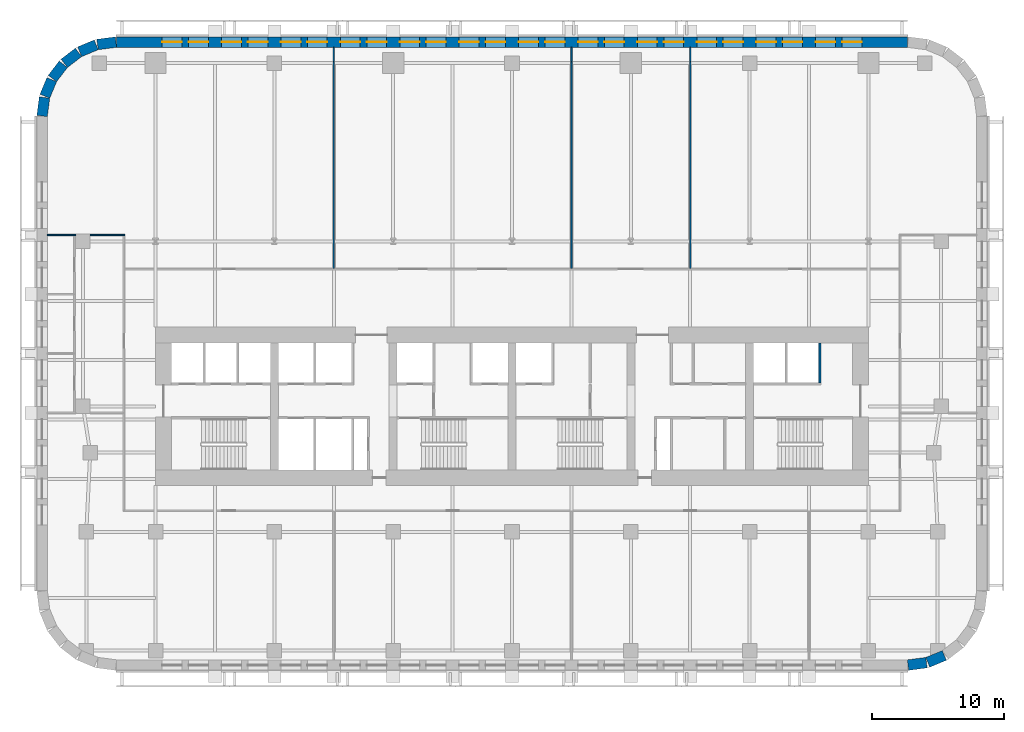
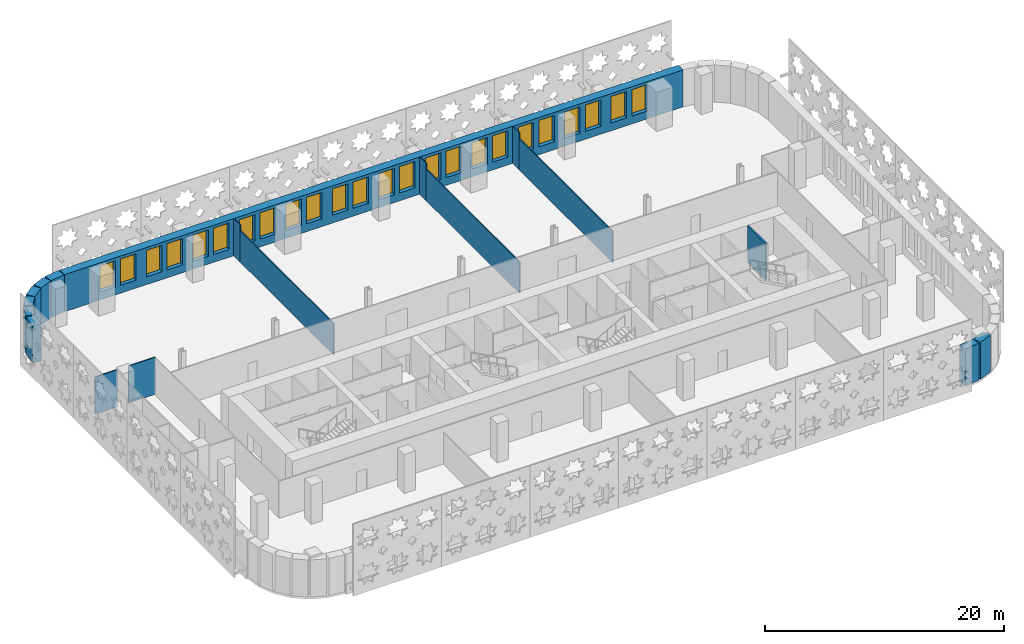
# One storey, part 7 of 14: 24 windows, 18 walls, 24 openings.
"""IFC4 building model written with IfcOpenShell, lengths in metres."""

from ifc_helpers import new_model, si_unit, direction, frame, frame_2d, origin, place, context, subcontext, project, spatial, rectangle, extrude, material, layer, layer_set, type_object, element, fill, save


model = new_model("IFC4")

# Units and contexts
model_context = context("Model", 3, precision=1e-05, world=origin(), true_north=direction((0.0, 1.0)))
body_context = subcontext(model_context, "Body", "Model", "MODEL_VIEW")
ifc_project = project(units=[si_unit("LENGTHUNIT", "METRE"), si_unit("AREAUNIT", "SQUARE_METRE"), si_unit("VOLUMEUNIT", "CUBIC_METRE"), si_unit("PLANEANGLEUNIT", "RADIAN"), si_unit("MASSUNIT", "GRAM", prefix="KILO")], contexts=[model_context])

# Site, building, storey
site_placement = place(None, origin())
site = spatial("IfcSite", under=ifc_project, at=site_placement, CompositionType="ELEMENT")
building_placement = place(site_placement, origin())
building = spatial("IfcBuilding", under=site, at=building_placement, Name="Zellij Exchange Tower", CompositionType="ELEMENT")
storey_placement = place(building_placement, frame((0.0, 0.0, 68.5)))
storey = spatial("IfcBuildingStorey", under=building, at=storey_placement, Name="L13", CompositionType="ELEMENT", Elevation=68.5)

# Walls
ifc_material_1 = material(Name="Gypsum shaft wall system")
ifc_layer_1 = layer(ifc_material_1, 0.14990234375)
ifc_layer_set_1 = layer_set([ifc_layer_1], Name="Gypsum shaft wall system")
wall_type_1 = type_object("IfcWallType", Name="CORE-PW 150 Lift shaft wall", PredefinedType="PARTITIONING", material=ifc_layer_set_1)
wall_1_placement = place(storey_placement, frame((23.324951171875, -6.22509765625, 0.0), z_axis=(0.0, 0.0, 1.0), x_axis=(0.0, 1.0, 0.0)))
element("IfcWall", 1, at=wall_1_placement, inside=storey, type_object=wall_type_1, Name="Lift shaft wall L13", PredefinedType="PARTITIONING", context=body_context, shape_type="SweptSolid", body=[
    extrude(rectangle(XDim=3.025146484375, YDim=0.14990234375, at=frame_2d((1.5126953125, 0.0))), origin(), (0.0, 0.0, 1.0), 3.800048828125),
])
ifc_material_2 = material(Name="Precast concrete C40/50", Category="concrete")
ifc_layer_2 = layer(ifc_material_2, 0.800048828125)
ifc_layer_set_2 = layer_set([ifc_layer_2], Name="Precast concrete C40/50")
wall_type_2 = type_object("IfcWallType", Name="ENV-EW1 Precast stone-piered wall 800", PredefinedType="SOLIDWALL", material=ifc_layer_set_2)
wall_2_placement = place(storey_placement, frame((29.999755859375, -27.5966796875, 0.0), z_axis=(0.0, 0.0, 1.0), x_axis=(0.99144603414, 0.130517283865, 0.0)))
element("IfcWall", 2, at=wall_2_placement, inside=storey, type_object=wall_type_2, Name="fac.L13.01", PredefinedType="SOLIDWALL", context=body_context, shape_type="SweptSolid", body=[
    extrude(rectangle(XDim=1.408447265625, YDim=0.800048828125, at=frame_2d((0.7041015625, 0.0))), origin(), (0.0, 0.0, 1.0), 3.800048828125),
])
wall_3_placement = place(storey_placement, frame((31.497314453125, -27.3857421875, 0.0), z_axis=(0.0, 0.0, 1.0), x_axis=(0.923847774587, 0.38276009378, 0.0)))
element("IfcWall", 3, at=wall_3_placement, inside=storey, type_object=wall_type_2, Name="fac.L13.02", PredefinedType="SOLIDWALL", context=body_context, shape_type="SweptSolid", body=[
    extrude(rectangle(XDim=1.35546875, YDim=0.800048828125, at=frame_2d((0.677734375, 0.0))), origin(), (0.0, 0.0, 1.0), 3.800048828125),
])

# Wall, openings, windows
wall_4_placement = place(storey_placement, frame((29.947509765625, 19.60009765625, 0.0), z_axis=(0.0, 0.0, 1.0), x_axis=(-1.0, 0.0, 0.0)))
wall_4 = element("IfcWall", 4, at=wall_4_placement, inside=storey, type_object=wall_type_2, Name="fac.L13.14", PredefinedType="SOLIDWALL", context=body_context, shape_type="SweptSolid", body=[
    extrude(rectangle(XDim=59.89501953125, YDim=0.800048828125, at=frame_2d((29.947509765625, 0.0))), origin(), (0.0, 0.0, 1.0), 3.800048828125),
])
opening_1_placement = place(wall_4_placement, frame((3.447509765625, 0.0, 0.800048828125)))
opening_1 = element("IfcOpeningElement", 5, at=opening_1_placement, cuts=wall_4, Name="Opening FZ1.37", PredefinedType="OPENING", context=body_context, shape_type="SweptSolid", body=[
    extrude(rectangle(XDim=1.5, YDim=2.699951171875, at=frame_2d((0.75, 1.35009765625))), frame((0.0, 0.412109375, 0.0), z_axis=(0.0, -1.0, 0.0), x_axis=(1.0, 0.0, 0.0)), (0.0, 0.0, 1.0), 0.823974609375),
])
opening_2_placement = place(wall_4_placement, frame((5.447509765625, 0.0, 0.800048828125)))
opening_2 = element("IfcOpeningElement", 6, at=opening_2_placement, cuts=wall_4, Name="Opening FZ1.38", PredefinedType="OPENING", context=body_context, shape_type="SweptSolid", body=[
    extrude(rectangle(XDim=1.5, YDim=2.699951171875, at=frame_2d((0.75, 1.35009765625))), frame((0.0, 0.412109375, 0.0), z_axis=(0.0, -1.0, 0.0), x_axis=(1.0, 0.0, 0.0)), (0.0, 0.0, 1.0), 0.823974609375),
])
opening_3_placement = place(wall_4_placement, frame((7.947509765625, 0.0, 0.800048828125)))
opening_3 = element("IfcOpeningElement", 7, at=opening_3_placement, cuts=wall_4, Name="Opening FZ1.39", PredefinedType="OPENING", context=body_context, shape_type="SweptSolid", body=[
    extrude(rectangle(XDim=1.5, YDim=2.699951171875, at=frame_2d((0.75, 1.35009765625))), frame((0.0, 0.412109375, 0.0), z_axis=(0.0, -1.0, 0.0), x_axis=(1.0, 0.0, 0.0)), (0.0, 0.0, 1.0), 0.823974609375),
])
opening_4_placement = place(wall_4_placement, frame((9.947509765625, 0.0, 0.800048828125)))
opening_4 = element("IfcOpeningElement", 8, at=opening_4_placement, cuts=wall_4, Name="Opening FZ1.40", PredefinedType="OPENING", context=body_context, shape_type="SweptSolid", body=[
    extrude(rectangle(XDim=1.5, YDim=2.699951171875, at=frame_2d((0.75, 1.35009765625))), frame((0.0, 0.412109375, 0.0), z_axis=(0.0, -1.0, 0.0), x_axis=(1.0, 0.0, 0.0)), (0.0, 0.0, 1.0), 0.823974609375),
])
opening_5_placement = place(wall_4_placement, frame((12.447509765625, 0.0, 0.800048828125)))
opening_5 = element("IfcOpeningElement", 9, at=opening_5_placement, cuts=wall_4, Name="Opening FZ1.41", PredefinedType="OPENING", context=body_context, shape_type="SweptSolid", body=[
    extrude(rectangle(XDim=1.5, YDim=2.699951171875, at=frame_2d((0.75, 1.35009765625))), frame((0.0, 0.412109375, 0.0), z_axis=(0.0, -1.0, 0.0), x_axis=(1.0, 0.0, 0.0)), (0.0, 0.0, 1.0), 0.823974609375),
])
opening_6_placement = place(wall_4_placement, frame((14.447509765625, 0.0, 0.800048828125)))
opening_6 = element("IfcOpeningElement", 10, at=opening_6_placement, cuts=wall_4, Name="Opening FZ1.42", PredefinedType="OPENING", context=body_context, shape_type="SweptSolid", body=[
    extrude(rectangle(XDim=1.5, YDim=2.699951171875, at=frame_2d((0.75, 1.35009765625))), frame((0.0, 0.412109375, 0.0), z_axis=(0.0, -1.0, 0.0), x_axis=(1.0, 0.0, 0.0)), (0.0, 0.0, 1.0), 0.823974609375),
])
opening_7_placement = place(wall_4_placement, frame((16.947509765625, 0.0, 0.800048828125)))
opening_7 = element("IfcOpeningElement", 11, at=opening_7_placement, cuts=wall_4, Name="Opening FZ1.43", PredefinedType="OPENING", context=body_context, shape_type="SweptSolid", body=[
    extrude(rectangle(XDim=1.5, YDim=2.699951171875, at=frame_2d((0.75, 1.35009765625))), frame((0.0, 0.412109375, 0.0), z_axis=(0.0, -1.0, 0.0), x_axis=(1.0, 0.0, 0.0)), (0.0, 0.0, 1.0), 0.823974609375),
])
opening_8_placement = place(wall_4_placement, frame((18.947509765625, 0.0, 0.800048828125)))
opening_8 = element("IfcOpeningElement", 12, at=opening_8_placement, cuts=wall_4, Name="Opening FZ1.44", PredefinedType="OPENING", context=body_context, shape_type="SweptSolid", body=[
    extrude(rectangle(XDim=1.5, YDim=2.699951171875, at=frame_2d((0.75, 1.35009765625))), frame((0.0, 0.412109375, 0.0), z_axis=(0.0, -1.0, 0.0), x_axis=(1.0, 0.0, 0.0)), (0.0, 0.0, 1.0), 0.823974609375),
])
opening_9_placement = place(wall_4_placement, frame((21.447509765625, 0.0, 0.800048828125)))
opening_9 = element("IfcOpeningElement", 13, at=opening_9_placement, cuts=wall_4, Name="Opening FZ1.45", PredefinedType="OPENING", context=body_context, shape_type="SweptSolid", body=[
    extrude(rectangle(XDim=1.5, YDim=2.699951171875, at=frame_2d((0.75, 1.35009765625))), frame((0.0, 0.412109375, 0.0), z_axis=(0.0, -1.0, 0.0), x_axis=(1.0, 0.0, 0.0)), (0.0, 0.0, 1.0), 0.823974609375),
])
opening_10_placement = place(wall_4_placement, frame((23.447509765625, 0.0, 0.800048828125)))
opening_10 = element("IfcOpeningElement", 14, at=opening_10_placement, cuts=wall_4, Name="Opening FZ1.46", PredefinedType="OPENING", context=body_context, shape_type="SweptSolid", body=[
    extrude(rectangle(XDim=1.5, YDim=2.699951171875, at=frame_2d((0.75, 1.35009765625))), frame((0.0, 0.412109375, 0.0), z_axis=(0.0, -1.0, 0.0), x_axis=(1.0, 0.0, 0.0)), (0.0, 0.0, 1.0), 0.823974609375),
])
opening_11_placement = place(wall_4_placement, frame((25.947509765625, 0.0, 0.800048828125)))
opening_11 = element("IfcOpeningElement", 15, at=opening_11_placement, cuts=wall_4, Name="Opening FZ1.47", PredefinedType="OPENING", context=body_context, shape_type="SweptSolid", body=[
    extrude(rectangle(XDim=1.5, YDim=2.699951171875, at=frame_2d((0.75, 1.35009765625))), frame((0.0, 0.412109375, 0.0), z_axis=(0.0, -1.0, 0.0), x_axis=(1.0, 0.0, 0.0)), (0.0, 0.0, 1.0), 0.823974609375),
])
opening_12_placement = place(wall_4_placement, frame((27.947509765625, 0.0, 0.800048828125)))
opening_12 = element("IfcOpeningElement", 16, at=opening_12_placement, cuts=wall_4, Name="Opening FZ1.48", PredefinedType="OPENING", context=body_context, shape_type="SweptSolid", body=[
    extrude(rectangle(XDim=1.5, YDim=2.699951171875, at=frame_2d((0.75, 1.35009765625))), frame((0.0, 0.412109375, 0.0), z_axis=(0.0, -1.0, 0.0), x_axis=(1.0, 0.0, 0.0)), (0.0, 0.0, 1.0), 0.823974609375),
])
opening_13_placement = place(wall_4_placement, frame((30.447509765625, 0.0, 0.800048828125)))
opening_13 = element("IfcOpeningElement", 17, at=opening_13_placement, cuts=wall_4, Name="Opening FZ1.49", PredefinedType="OPENING", context=body_context, shape_type="SweptSolid", body=[
    extrude(rectangle(XDim=1.5, YDim=2.699951171875, at=frame_2d((0.75, 1.35009765625))), frame((0.0, 0.412109375, 0.0), z_axis=(0.0, -1.0, 0.0), x_axis=(1.0, 0.0, 0.0)), (0.0, 0.0, 1.0), 0.823974609375),
])
opening_14_placement = place(wall_4_placement, frame((32.447509765625, 0.0, 0.800048828125)))
opening_14 = element("IfcOpeningElement", 18, at=opening_14_placement, cuts=wall_4, Name="Opening FZ1.50", PredefinedType="OPENING", context=body_context, shape_type="SweptSolid", body=[
    extrude(rectangle(XDim=1.5, YDim=2.699951171875, at=frame_2d((0.75, 1.35009765625))), frame((0.0, 0.412109375, 0.0), z_axis=(0.0, -1.0, 0.0), x_axis=(1.0, 0.0, 0.0)), (0.0, 0.0, 1.0), 0.823974609375),
])
opening_15_placement = place(wall_4_placement, frame((34.947509765625, 0.0, 0.800048828125)))
opening_15 = element("IfcOpeningElement", 19, at=opening_15_placement, cuts=wall_4, Name="Opening FZ1.51", PredefinedType="OPENING", context=body_context, shape_type="SweptSolid", body=[
    extrude(rectangle(XDim=1.5, YDim=2.699951171875, at=frame_2d((0.75, 1.35009765625))), frame((0.0, 0.412109375, 0.0), z_axis=(0.0, -1.0, 0.0), x_axis=(1.0, 0.0, 0.0)), (0.0, 0.0, 1.0), 0.823974609375),
])
opening_16_placement = place(wall_4_placement, frame((36.947509765625, 0.0, 0.800048828125)))
opening_16 = element("IfcOpeningElement", 20, at=opening_16_placement, cuts=wall_4, Name="Opening FZ1.52", PredefinedType="OPENING", context=body_context, shape_type="SweptSolid", body=[
    extrude(rectangle(XDim=1.5, YDim=2.699951171875, at=frame_2d((0.75, 1.35009765625))), frame((0.0, 0.412109375, 0.0), z_axis=(0.0, -1.0, 0.0), x_axis=(1.0, 0.0, 0.0)), (0.0, 0.0, 1.0), 0.823974609375),
])
opening_17_placement = place(wall_4_placement, frame((39.447509765625, 0.0, 0.800048828125)))
opening_17 = element("IfcOpeningElement", 21, at=opening_17_placement, cuts=wall_4, Name="Opening FZ1.53", PredefinedType="OPENING", context=body_context, shape_type="SweptSolid", body=[
    extrude(rectangle(XDim=1.5, YDim=2.699951171875, at=frame_2d((0.75, 1.35009765625))), frame((0.0, 0.412109375, 0.0), z_axis=(0.0, -1.0, 0.0), x_axis=(1.0, 0.0, 0.0)), (0.0, 0.0, 1.0), 0.823974609375),
])
opening_18_placement = place(wall_4_placement, frame((41.447509765625, 0.0, 0.800048828125)))
opening_18 = element("IfcOpeningElement", 22, at=opening_18_placement, cuts=wall_4, Name="Opening FZ1.54", PredefinedType="OPENING", context=body_context, shape_type="SweptSolid", body=[
    extrude(rectangle(XDim=1.5, YDim=2.699951171875, at=frame_2d((0.75, 1.35009765625))), frame((0.0, 0.412109375, 0.0), z_axis=(0.0, -1.0, 0.0), x_axis=(1.0, 0.0, 0.0)), (0.0, 0.0, 1.0), 0.823974609375),
])
opening_19_placement = place(wall_4_placement, frame((43.947509765625, 0.0, 0.800048828125)))
opening_19 = element("IfcOpeningElement", 23, at=opening_19_placement, cuts=wall_4, Name="Opening FZ1.55", PredefinedType="OPENING", context=body_context, shape_type="SweptSolid", body=[
    extrude(rectangle(XDim=1.5, YDim=2.699951171875, at=frame_2d((0.75, 1.35009765625))), frame((0.0, 0.412109375, 0.0), z_axis=(0.0, -1.0, 0.0), x_axis=(1.0, 0.0, 0.0)), (0.0, 0.0, 1.0), 0.823974609375),
])
opening_20_placement = place(wall_4_placement, frame((45.947509765625, 0.0, 0.800048828125)))
opening_20 = element("IfcOpeningElement", 24, at=opening_20_placement, cuts=wall_4, Name="Opening FZ1.56", PredefinedType="OPENING", context=body_context, shape_type="SweptSolid", body=[
    extrude(rectangle(XDim=1.5, YDim=2.699951171875, at=frame_2d((0.75, 1.35009765625))), frame((0.0, 0.412109375, 0.0), z_axis=(0.0, -1.0, 0.0), x_axis=(1.0, 0.0, 0.0)), (0.0, 0.0, 1.0), 0.823974609375),
])
opening_21_placement = place(wall_4_placement, frame((48.447509765625, 0.0, 0.800048828125)))
opening_21 = element("IfcOpeningElement", 25, at=opening_21_placement, cuts=wall_4, Name="Opening FZ1.57", PredefinedType="OPENING", context=body_context, shape_type="SweptSolid", body=[
    extrude(rectangle(XDim=1.5, YDim=2.699951171875, at=frame_2d((0.75, 1.35009765625))), frame((0.0, 0.412109375, 0.0), z_axis=(0.0, -1.0, 0.0), x_axis=(1.0, 0.0, 0.0)), (0.0, 0.0, 1.0), 0.823974609375),
])
opening_22_placement = place(wall_4_placement, frame((50.447509765625, 0.0, 0.800048828125)))
opening_22 = element("IfcOpeningElement", 26, at=opening_22_placement, cuts=wall_4, Name="Opening FZ1.58", PredefinedType="OPENING", context=body_context, shape_type="SweptSolid", body=[
    extrude(rectangle(XDim=1.5, YDim=2.699951171875, at=frame_2d((0.75, 1.35009765625))), frame((0.0, 0.412109375, 0.0), z_axis=(0.0, -1.0, 0.0), x_axis=(1.0, 0.0, 0.0)), (0.0, 0.0, 1.0), 0.823974609375),
])
opening_23_placement = place(wall_4_placement, frame((52.947509765625, 0.0, 0.800048828125)))
opening_23 = element("IfcOpeningElement", 27, at=opening_23_placement, cuts=wall_4, Name="Opening FZ1.59", PredefinedType="OPENING", context=body_context, shape_type="SweptSolid", body=[
    extrude(rectangle(XDim=1.5, YDim=2.699951171875, at=frame_2d((0.75, 1.35009765625))), frame((0.0, 0.412109375, 0.0), z_axis=(0.0, -1.0, 0.0), x_axis=(1.0, 0.0, 0.0)), (0.0, 0.0, 1.0), 0.823974609375),
])
opening_24_placement = place(wall_4_placement, frame((54.947509765625, 0.0, 0.800048828125)))
opening_24 = element("IfcOpeningElement", 28, at=opening_24_placement, cuts=wall_4, Name="Opening FZ1.60", PredefinedType="OPENING", context=body_context, shape_type="SweptSolid", body=[
    extrude(rectangle(XDim=1.5, YDim=2.699951171875, at=frame_2d((0.75, 1.35009765625))), frame((0.0, 0.412109375, 0.0), z_axis=(0.0, -1.0, 0.0), x_axis=(1.0, 0.0, 0.0)), (0.0, 0.0, 1.0), 0.823974609375),
])
ifc_material_3 = material(Name="Aluminium frame with insulating glass", Category="aluminium")
window_type = type_object("IfcWindowType", Name="ENV-W6 Window 1500x2700", PartitioningType="SINGLE_PANEL", PredefinedType="WINDOW", material=ifc_material_3)
window_1_placement = place(opening_1_placement, origin())
window_1 = element("IfcWindow", 29, at=window_1_placement, inside=storey, type_object=window_type, Name="Window FZ1.37", OverallHeight=2.699951171875, OverallWidth=1.5, PartitioningType="SINGLE_PANEL", PredefinedType="WINDOW", context=body_context, shape_type="SweptSolid", body=[
    extrude(rectangle(XDim=1.5, YDim=2.699951171875, at=frame_2d((0.75, 1.35009765625))), frame((0.0, 0.030029296875, 0.0), z_axis=(0.0, -1.0, 0.0), x_axis=(1.0, 0.0, 0.0)), (0.0, 0.0, 1.0), 0.06005859375),
])
fill(opening_1, window_1)
window_2_placement = place(opening_2_placement, origin())
window_2 = element("IfcWindow", 30, at=window_2_placement, inside=storey, type_object=window_type, Name="Window FZ1.38", OverallHeight=2.699951171875, OverallWidth=1.5, PartitioningType="SINGLE_PANEL", PredefinedType="WINDOW", context=body_context, shape_type="SweptSolid", body=[
    extrude(rectangle(XDim=1.5, YDim=2.699951171875, at=frame_2d((0.75, 1.35009765625))), frame((0.0, 0.030029296875, 0.0), z_axis=(0.0, -1.0, 0.0), x_axis=(1.0, 0.0, 0.0)), (0.0, 0.0, 1.0), 0.06005859375),
])
fill(opening_2, window_2)
window_3_placement = place(opening_3_placement, origin())
window_3 = element("IfcWindow", 31, at=window_3_placement, inside=storey, type_object=window_type, Name="Window FZ1.39", OverallHeight=2.699951171875, OverallWidth=1.5, PartitioningType="SINGLE_PANEL", PredefinedType="WINDOW", context=body_context, shape_type="SweptSolid", body=[
    extrude(rectangle(XDim=1.5, YDim=2.699951171875, at=frame_2d((0.75, 1.35009765625))), frame((0.0, 0.030029296875, 0.0), z_axis=(0.0, -1.0, 0.0), x_axis=(1.0, 0.0, 0.0)), (0.0, 0.0, 1.0), 0.06005859375),
])
fill(opening_3, window_3)
window_4_placement = place(opening_4_placement, origin())
window_4 = element("IfcWindow", 32, at=window_4_placement, inside=storey, type_object=window_type, Name="Window FZ1.40", OverallHeight=2.699951171875, OverallWidth=1.5, PartitioningType="SINGLE_PANEL", PredefinedType="WINDOW", context=body_context, shape_type="SweptSolid", body=[
    extrude(rectangle(XDim=1.5, YDim=2.699951171875, at=frame_2d((0.75, 1.35009765625))), frame((0.0, 0.030029296875, 0.0), z_axis=(0.0, -1.0, 0.0), x_axis=(1.0, 0.0, 0.0)), (0.0, 0.0, 1.0), 0.06005859375),
])
fill(opening_4, window_4)
window_5_placement = place(opening_5_placement, origin())
window_5 = element("IfcWindow", 33, at=window_5_placement, inside=storey, type_object=window_type, Name="Window FZ1.41", OverallHeight=2.699951171875, OverallWidth=1.5, PartitioningType="SINGLE_PANEL", PredefinedType="WINDOW", context=body_context, shape_type="SweptSolid", body=[
    extrude(rectangle(XDim=1.5, YDim=2.699951171875, at=frame_2d((0.75, 1.35009765625))), frame((0.0, 0.030029296875, 0.0), z_axis=(0.0, -1.0, 0.0), x_axis=(1.0, 0.0, 0.0)), (0.0, 0.0, 1.0), 0.06005859375),
])
fill(opening_5, window_5)
window_6_placement = place(opening_6_placement, origin())
window_6 = element("IfcWindow", 34, at=window_6_placement, inside=storey, type_object=window_type, Name="Window FZ1.42", OverallHeight=2.699951171875, OverallWidth=1.5, PartitioningType="SINGLE_PANEL", PredefinedType="WINDOW", context=body_context, shape_type="SweptSolid", body=[
    extrude(rectangle(XDim=1.5, YDim=2.699951171875, at=frame_2d((0.75, 1.35009765625))), frame((0.0, 0.030029296875, 0.0), z_axis=(0.0, -1.0, 0.0), x_axis=(1.0, 0.0, 0.0)), (0.0, 0.0, 1.0), 0.06005859375),
])
fill(opening_6, window_6)
window_7_placement = place(opening_7_placement, origin())
window_7 = element("IfcWindow", 35, at=window_7_placement, inside=storey, type_object=window_type, Name="Window FZ1.43", OverallHeight=2.699951171875, OverallWidth=1.5, PartitioningType="SINGLE_PANEL", PredefinedType="WINDOW", context=body_context, shape_type="SweptSolid", body=[
    extrude(rectangle(XDim=1.5, YDim=2.699951171875, at=frame_2d((0.75, 1.35009765625))), frame((0.0, 0.030029296875, 0.0), z_axis=(0.0, -1.0, 0.0), x_axis=(1.0, 0.0, 0.0)), (0.0, 0.0, 1.0), 0.06005859375),
])
fill(opening_7, window_7)
window_8_placement = place(opening_8_placement, origin())
window_8 = element("IfcWindow", 36, at=window_8_placement, inside=storey, type_object=window_type, Name="Window FZ1.44", OverallHeight=2.699951171875, OverallWidth=1.5, PartitioningType="SINGLE_PANEL", PredefinedType="WINDOW", context=body_context, shape_type="SweptSolid", body=[
    extrude(rectangle(XDim=1.5, YDim=2.699951171875, at=frame_2d((0.75, 1.35009765625))), frame((0.0, 0.030029296875, 0.0), z_axis=(0.0, -1.0, 0.0), x_axis=(1.0, 0.0, 0.0)), (0.0, 0.0, 1.0), 0.06005859375),
])
fill(opening_8, window_8)
window_9_placement = place(opening_9_placement, origin())
window_9 = element("IfcWindow", 37, at=window_9_placement, inside=storey, type_object=window_type, Name="Window FZ1.45", OverallHeight=2.699951171875, OverallWidth=1.5, PartitioningType="SINGLE_PANEL", PredefinedType="WINDOW", context=body_context, shape_type="SweptSolid", body=[
    extrude(rectangle(XDim=1.5, YDim=2.699951171875, at=frame_2d((0.75, 1.35009765625))), frame((0.0, 0.030029296875, 0.0), z_axis=(0.0, -1.0, 0.0), x_axis=(1.0, 0.0, 0.0)), (0.0, 0.0, 1.0), 0.06005859375),
])
fill(opening_9, window_9)
window_10_placement = place(opening_10_placement, origin())
window_10 = element("IfcWindow", 38, at=window_10_placement, inside=storey, type_object=window_type, Name="Window FZ1.46", OverallHeight=2.699951171875, OverallWidth=1.5, PartitioningType="SINGLE_PANEL", PredefinedType="WINDOW", context=body_context, shape_type="SweptSolid", body=[
    extrude(rectangle(XDim=1.5, YDim=2.699951171875, at=frame_2d((0.75, 1.35009765625))), frame((0.0, 0.030029296875, 0.0), z_axis=(0.0, -1.0, 0.0), x_axis=(1.0, 0.0, 0.0)), (0.0, 0.0, 1.0), 0.06005859375),
])
fill(opening_10, window_10)
window_11_placement = place(opening_11_placement, origin())
window_11 = element("IfcWindow", 39, at=window_11_placement, inside=storey, type_object=window_type, Name="Window FZ1.47", OverallHeight=2.699951171875, OverallWidth=1.5, PartitioningType="SINGLE_PANEL", PredefinedType="WINDOW", context=body_context, shape_type="SweptSolid", body=[
    extrude(rectangle(XDim=1.5, YDim=2.699951171875, at=frame_2d((0.75, 1.35009765625))), frame((0.0, 0.030029296875, 0.0), z_axis=(0.0, -1.0, 0.0), x_axis=(1.0, 0.0, 0.0)), (0.0, 0.0, 1.0), 0.06005859375),
])
fill(opening_11, window_11)
window_12_placement = place(opening_12_placement, origin())
window_12 = element("IfcWindow", 40, at=window_12_placement, inside=storey, type_object=window_type, Name="Window FZ1.48", OverallHeight=2.699951171875, OverallWidth=1.5, PartitioningType="SINGLE_PANEL", PredefinedType="WINDOW", context=body_context, shape_type="SweptSolid", body=[
    extrude(rectangle(XDim=1.5, YDim=2.699951171875, at=frame_2d((0.75, 1.35009765625))), frame((0.0, 0.030029296875, 0.0), z_axis=(0.0, -1.0, 0.0), x_axis=(1.0, 0.0, 0.0)), (0.0, 0.0, 1.0), 0.06005859375),
])
fill(opening_12, window_12)
window_13_placement = place(opening_13_placement, origin())
window_13 = element("IfcWindow", 41, at=window_13_placement, inside=storey, type_object=window_type, Name="Window FZ1.49", OverallHeight=2.699951171875, OverallWidth=1.5, PartitioningType="SINGLE_PANEL", PredefinedType="WINDOW", context=body_context, shape_type="SweptSolid", body=[
    extrude(rectangle(XDim=1.5, YDim=2.699951171875, at=frame_2d((0.75, 1.35009765625))), frame((0.0, 0.030029296875, 0.0), z_axis=(0.0, -1.0, 0.0), x_axis=(1.0, 0.0, 0.0)), (0.0, 0.0, 1.0), 0.06005859375),
])
fill(opening_13, window_13)
window_14_placement = place(opening_14_placement, origin())
window_14 = element("IfcWindow", 42, at=window_14_placement, inside=storey, type_object=window_type, Name="Window FZ1.50", OverallHeight=2.699951171875, OverallWidth=1.5, PartitioningType="SINGLE_PANEL", PredefinedType="WINDOW", context=body_context, shape_type="SweptSolid", body=[
    extrude(rectangle(XDim=1.5, YDim=2.699951171875, at=frame_2d((0.75, 1.35009765625))), frame((0.0, 0.030029296875, 0.0), z_axis=(0.0, -1.0, 0.0), x_axis=(1.0, 0.0, 0.0)), (0.0, 0.0, 1.0), 0.06005859375),
])
fill(opening_14, window_14)
window_15_placement = place(opening_15_placement, origin())
window_15 = element("IfcWindow", 43, at=window_15_placement, inside=storey, type_object=window_type, Name="Window FZ1.51", OverallHeight=2.699951171875, OverallWidth=1.5, PartitioningType="SINGLE_PANEL", PredefinedType="WINDOW", context=body_context, shape_type="SweptSolid", body=[
    extrude(rectangle(XDim=1.5, YDim=2.699951171875, at=frame_2d((0.75, 1.35009765625))), frame((0.0, 0.030029296875, 0.0), z_axis=(0.0, -1.0, 0.0), x_axis=(1.0, 0.0, 0.0)), (0.0, 0.0, 1.0), 0.06005859375),
])
fill(opening_15, window_15)
window_16_placement = place(opening_16_placement, origin())
window_16 = element("IfcWindow", 44, at=window_16_placement, inside=storey, type_object=window_type, Name="Window FZ1.52", OverallHeight=2.699951171875, OverallWidth=1.5, PartitioningType="SINGLE_PANEL", PredefinedType="WINDOW", context=body_context, shape_type="SweptSolid", body=[
    extrude(rectangle(XDim=1.5, YDim=2.699951171875, at=frame_2d((0.75, 1.35009765625))), frame((0.0, 0.030029296875, 0.0), z_axis=(0.0, -1.0, 0.0), x_axis=(1.0, 0.0, 0.0)), (0.0, 0.0, 1.0), 0.06005859375),
])
fill(opening_16, window_16)
window_17_placement = place(opening_17_placement, origin())
window_17 = element("IfcWindow", 45, at=window_17_placement, inside=storey, type_object=window_type, Name="Window FZ1.53", OverallHeight=2.699951171875, OverallWidth=1.5, PartitioningType="SINGLE_PANEL", PredefinedType="WINDOW", context=body_context, shape_type="SweptSolid", body=[
    extrude(rectangle(XDim=1.5, YDim=2.699951171875, at=frame_2d((0.75, 1.35009765625))), frame((0.0, 0.030029296875, 0.0), z_axis=(0.0, -1.0, 0.0), x_axis=(1.0, 0.0, 0.0)), (0.0, 0.0, 1.0), 0.06005859375),
])
fill(opening_17, window_17)
window_18_placement = place(opening_18_placement, origin())
window_18 = element("IfcWindow", 46, at=window_18_placement, inside=storey, type_object=window_type, Name="Window FZ1.54", OverallHeight=2.699951171875, OverallWidth=1.5, PartitioningType="SINGLE_PANEL", PredefinedType="WINDOW", context=body_context, shape_type="SweptSolid", body=[
    extrude(rectangle(XDim=1.5, YDim=2.699951171875, at=frame_2d((0.75, 1.35009765625))), frame((0.0, 0.030029296875, 0.0), z_axis=(0.0, -1.0, 0.0), x_axis=(1.0, 0.0, 0.0)), (0.0, 0.0, 1.0), 0.06005859375),
])
fill(opening_18, window_18)
window_19_placement = place(opening_19_placement, origin())
window_19 = element("IfcWindow", 47, at=window_19_placement, inside=storey, type_object=window_type, Name="Window FZ1.55", OverallHeight=2.699951171875, OverallWidth=1.5, PartitioningType="SINGLE_PANEL", PredefinedType="WINDOW", context=body_context, shape_type="SweptSolid", body=[
    extrude(rectangle(XDim=1.5, YDim=2.699951171875, at=frame_2d((0.75, 1.35009765625))), frame((0.0, 0.030029296875, 0.0), z_axis=(0.0, -1.0, 0.0), x_axis=(1.0, 0.0, 0.0)), (0.0, 0.0, 1.0), 0.06005859375),
])
fill(opening_19, window_19)
window_20_placement = place(opening_20_placement, origin())
window_20 = element("IfcWindow", 48, at=window_20_placement, inside=storey, type_object=window_type, Name="Window FZ1.56", OverallHeight=2.699951171875, OverallWidth=1.5, PartitioningType="SINGLE_PANEL", PredefinedType="WINDOW", context=body_context, shape_type="SweptSolid", body=[
    extrude(rectangle(XDim=1.5, YDim=2.699951171875, at=frame_2d((0.75, 1.35009765625))), frame((0.0, 0.030029296875, 0.0), z_axis=(0.0, -1.0, 0.0), x_axis=(1.0, 0.0, 0.0)), (0.0, 0.0, 1.0), 0.06005859375),
])
fill(opening_20, window_20)
window_21_placement = place(opening_21_placement, origin())
window_21 = element("IfcWindow", 49, at=window_21_placement, inside=storey, type_object=window_type, Name="Window FZ1.57", OverallHeight=2.699951171875, OverallWidth=1.5, PartitioningType="SINGLE_PANEL", PredefinedType="WINDOW", context=body_context, shape_type="SweptSolid", body=[
    extrude(rectangle(XDim=1.5, YDim=2.699951171875, at=frame_2d((0.75, 1.35009765625))), frame((0.0, 0.030029296875, 0.0), z_axis=(0.0, -1.0, 0.0), x_axis=(1.0, 0.0, 0.0)), (0.0, 0.0, 1.0), 0.06005859375),
])
fill(opening_21, window_21)
window_22_placement = place(opening_22_placement, origin())
window_22 = element("IfcWindow", 50, at=window_22_placement, inside=storey, type_object=window_type, Name="Window FZ1.58", OverallHeight=2.699951171875, OverallWidth=1.5, PartitioningType="SINGLE_PANEL", PredefinedType="WINDOW", context=body_context, shape_type="SweptSolid", body=[
    extrude(rectangle(XDim=1.5, YDim=2.699951171875, at=frame_2d((0.75, 1.35009765625))), frame((0.0, 0.030029296875, 0.0), z_axis=(0.0, -1.0, 0.0), x_axis=(1.0, 0.0, 0.0)), (0.0, 0.0, 1.0), 0.06005859375),
])
fill(opening_22, window_22)
window_23_placement = place(opening_23_placement, origin())
window_23 = element("IfcWindow", 51, at=window_23_placement, inside=storey, type_object=window_type, Name="Window FZ1.59", OverallHeight=2.699951171875, OverallWidth=1.5, PartitioningType="SINGLE_PANEL", PredefinedType="WINDOW", context=body_context, shape_type="SweptSolid", body=[
    extrude(rectangle(XDim=1.5, YDim=2.699951171875, at=frame_2d((0.75, 1.35009765625))), frame((0.0, 0.030029296875, 0.0), z_axis=(0.0, -1.0, 0.0), x_axis=(1.0, 0.0, 0.0)), (0.0, 0.0, 1.0), 0.06005859375),
])
fill(opening_23, window_23)
window_24_placement = place(opening_24_placement, origin())
window_24 = element("IfcWindow", 52, at=window_24_placement, inside=storey, type_object=window_type, Name="Window FZ1.60", OverallHeight=2.699951171875, OverallWidth=1.5, PartitioningType="SINGLE_PANEL", PredefinedType="WINDOW", context=body_context, shape_type="SweptSolid", body=[
    extrude(rectangle(XDim=1.5, YDim=2.699951171875, at=frame_2d((0.75, 1.35009765625))), frame((0.0, 0.030029296875, 0.0), z_axis=(0.0, -1.0, 0.0), x_axis=(1.0, 0.0, 0.0)), (0.0, 0.0, 1.0), 0.06005859375),
])
fill(opening_24, window_24)

# Walls
wall_5_placement = place(storey_placement, frame((-29.999755859375, 19.5966796875, 0.0), z_axis=(0.0, 0.0, 1.0), x_axis=(-0.99144603414, -0.130517283865, 0.0)))
element("IfcWall", 53, at=wall_5_placement, inside=storey, type_object=wall_type_2, Name="fac.L13.15", PredefinedType="SOLIDWALL", context=body_context, shape_type="SweptSolid", body=[
    extrude(rectangle(XDim=1.408447265625, YDim=0.800048828125, at=frame_2d((0.7041015625, 0.0))), origin(), (0.0, 0.0, 1.0), 3.800048828125),
])
wall_6_placement = place(storey_placement, frame((-31.497314453125, 19.3857421875, 0.0), z_axis=(0.0, 0.0, 1.0), x_axis=(-0.923847774587, -0.38276009378, 0.0)))
element("IfcWall", 54, at=wall_6_placement, inside=storey, type_object=wall_type_2, Name="fac.L13.16", PredefinedType="SOLIDWALL", context=body_context, shape_type="SweptSolid", body=[
    extrude(rectangle(XDim=1.35546875, YDim=0.800048828125, at=frame_2d((0.677734375, 0.0))), origin(), (0.0, 0.0, 1.0), 3.800048828125),
])
for number, where, z_axis, x_axis, name in (
    (55, (-32.840087890625, 18.814697265625, 0.0), (0.0, 0.0, 1.0), (-0.793272915452, -0.608866226366, 0.0), "fac.L13.17"),
    (56, (-33.9892578125, 17.91552734375, 0.0), (0.0, 0.0, 1.0), (-0.608866226366, -0.793272915452, 0.0), "fac.L13.18"),
):
    element("IfcWall", number, at=place(storey_placement, frame(where, z_axis=z_axis, x_axis=x_axis)), inside=storey, type_object=wall_type_2, Name=name, PredefinedType="SOLIDWALL", context=body_context, shape_type="SweptSolid", body=[
        extrude(rectangle(XDim=1.355712890625, YDim=0.800048828125, at=frame_2d((0.677734375, 0.0))), origin(), (0.0, 0.0, 1.0), 3.800048828125),
    ])
wall_7_placement = place(storey_placement, frame((-34.866943359375, 16.74951171875, 0.0), z_axis=(0.0, 0.0, 1.0), x_axis=(-0.38276009378, -0.923847774587, 0.0)))
element("IfcWall", 57, at=wall_7_placement, inside=storey, type_object=wall_type_2, Name="fac.L13.19", PredefinedType="SOLIDWALL", context=body_context, shape_type="SweptSolid", body=[
    extrude(rectangle(XDim=1.35546875, YDim=0.800048828125, at=frame_2d((0.677734375, 0.0))), origin(), (0.0, 0.0, 1.0), 3.800048828125),
])
wall_8_placement = place(storey_placement, frame((-35.412841796875, 15.396240234375, 0.0), z_axis=(0.0, 0.0, 1.0), x_axis=(-0.130517283865, -0.99144603414, 0.0)))
element("IfcWall", 58, at=wall_8_placement, inside=storey, type_object=wall_type_2, Name="fac.L13.20", PredefinedType="SOLIDWALL", context=body_context, shape_type="SweptSolid", body=[
    extrude(rectangle(XDim=1.408447265625, YDim=0.800048828125, at=frame_2d((0.7041015625, 0.0))), origin(), (0.0, 0.0, 1.0), 3.800048828125),
])
ifc_material_4 = material(Name="Gypsum board partition on steel studs", Category="steel")
ifc_layer_3 = layer(ifc_material_4, 0.10009765625)
ifc_layer_set_3 = layer_set([ifc_layer_3], Name="Gypsum board partition on steel studs")
wall_type_3 = type_object("IfcWallType", Name="FIT-PARTITION-100", PredefinedType="PARTITIONING", material=ifc_layer_set_3)
wall_9_placement = place(storey_placement, frame((-13.5, 2.449951171875, 0.0), z_axis=(0.0, 0.0, 1.0), x_axis=(0.0, 1.0, 0.0)))
element("IfcWall", 59, at=wall_9_placement, inside=storey, type_object=wall_type_3, Name="FIT-PARTITION-100 018", PredefinedType="PARTITIONING", context=body_context, shape_type="SweptSolid", body=[
    extrude(rectangle(XDim=15.66455078125, YDim=0.10009765625, at=frame_2d((7.832275390625, 0.0))), origin(), (0.0, 0.0, 1.0), 3.197998046875),
])
wall_10_placement = place(storey_placement, frame((-13.5, 18.114501953125, 0.0), z_axis=(0.0, 0.0, 1.0), x_axis=(0.0, 1.0, 0.0)))
element("IfcWall", 60, at=wall_10_placement, inside=storey, type_object=wall_type_3, Name="FIT-PARTITION-100 019", PredefinedType="PARTITIONING", context=body_context, shape_type="SweptSolid", body=[
    extrude(rectangle(XDim=1.08544921875, YDim=0.10009765625, at=frame_2d((0.542724609375, 0.0))), origin(), (0.0, 0.0, 1.0), 3.800048828125),
])
wall_11_placement = place(storey_placement, frame((4.5, 2.449951171875, 0.0), z_axis=(0.0, 0.0, 1.0), x_axis=(0.0, 1.0, 0.0)))
element("IfcWall", 61, at=wall_11_placement, inside=storey, type_object=wall_type_3, Name="FIT-PARTITION-100 020", PredefinedType="PARTITIONING", context=body_context, shape_type="SweptSolid", body=[
    extrude(rectangle(XDim=15.66455078125, YDim=0.10009765625, at=frame_2d((7.832275390625, 0.0))), origin(), (0.0, 0.0, 1.0), 3.197998046875),
])
wall_12_placement = place(storey_placement, frame((4.5, 18.114501953125, 0.0), z_axis=(0.0, 0.0, 1.0), x_axis=(0.0, 1.0, 0.0)))
element("IfcWall", 62, at=wall_12_placement, inside=storey, type_object=wall_type_3, Name="FIT-PARTITION-100 021", PredefinedType="PARTITIONING", context=body_context, shape_type="SweptSolid", body=[
    extrude(rectangle(XDim=1.08544921875, YDim=0.10009765625, at=frame_2d((0.542724609375, 0.0))), origin(), (0.0, 0.0, 1.0), 3.800048828125),
])
wall_13_placement = place(storey_placement, frame((13.5, 2.449951171875, 0.0), z_axis=(0.0, 0.0, 1.0), x_axis=(0.0, 1.0, 0.0)))
element("IfcWall", 63, at=wall_13_placement, inside=storey, type_object=wall_type_3, Name="FIT-PARTITION-100 022", PredefinedType="PARTITIONING", context=body_context, shape_type="SweptSolid", body=[
    extrude(rectangle(XDim=15.66455078125, YDim=0.10009765625, at=frame_2d((7.832275390625, 0.0))), origin(), (0.0, 0.0, 1.0), 3.197998046875),
])
wall_14_placement = place(storey_placement, frame((13.5, 18.114501953125, 0.0), z_axis=(0.0, 0.0, 1.0), x_axis=(0.0, 1.0, 0.0)))
element("IfcWall", 64, at=wall_14_placement, inside=storey, type_object=wall_type_3, Name="FIT-PARTITION-100 023", PredefinedType="PARTITIONING", context=body_context, shape_type="SweptSolid", body=[
    extrude(rectangle(XDim=1.08544921875, YDim=0.10009765625, at=frame_2d((0.542724609375, 0.0))), origin(), (0.0, 0.0, 1.0), 3.800048828125),
])
wall_15_placement = place(storey_placement, frame((-35.199951171875, 4.989990234375, 0.0), z_axis=(0.0, 0.0, 1.0), x_axis=(1.0, 0.0, 0.0)))
element("IfcWall", 65, at=wall_15_placement, inside=storey, type_object=wall_type_3, Name="FIT-PARTITION-100 024", PredefinedType="PARTITIONING", context=body_context, shape_type="SweptSolid", body=[
    extrude(rectangle(XDim=2.14990234375, YDim=0.10009765625, at=frame_2d((1.074951171875, 0.0))), origin(), (0.0, 0.0, 1.0), 3.800048828125),
])
wall_16_placement = place(storey_placement, frame((-31.949951171875, 4.989990234375, 0.0), z_axis=(0.0, 0.0, 1.0), x_axis=(1.0, 0.0, 0.0)))
element("IfcWall", 66, at=wall_16_placement, inside=storey, type_object=wall_type_3, Name="FIT-PARTITION-100 025", PredefinedType="PARTITIONING", context=body_context, shape_type="SweptSolid", body=[
    extrude(rectangle(XDim=2.599853515625, YDim=0.10009765625, at=frame_2d((1.2998046875, 0.0))), origin(), (0.0, 0.0, 1.0), 3.800048828125),
])

save(model, "model.ifc")
